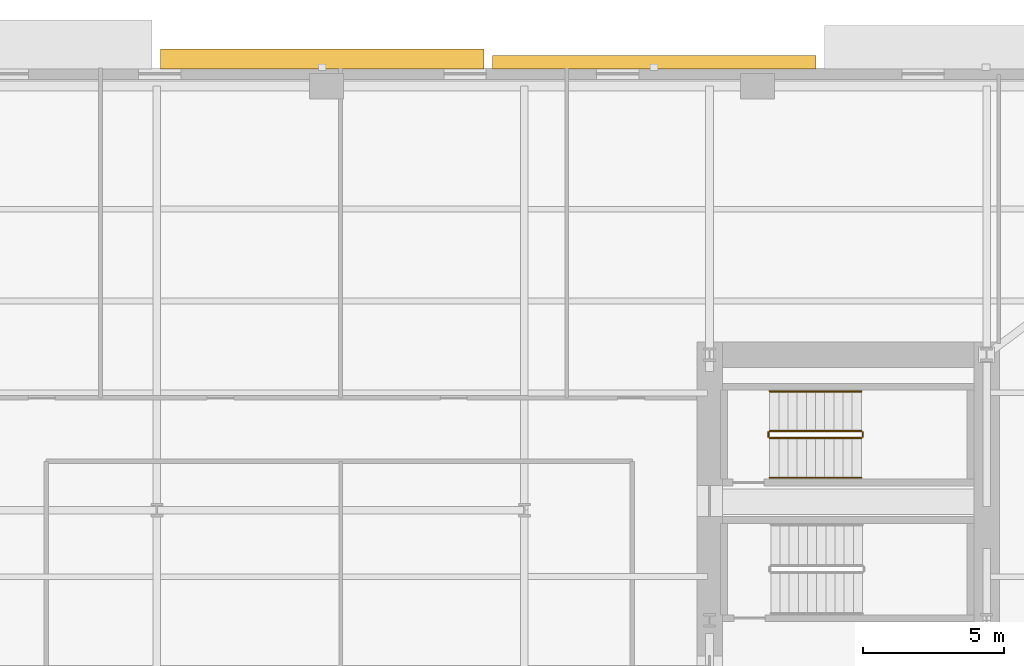
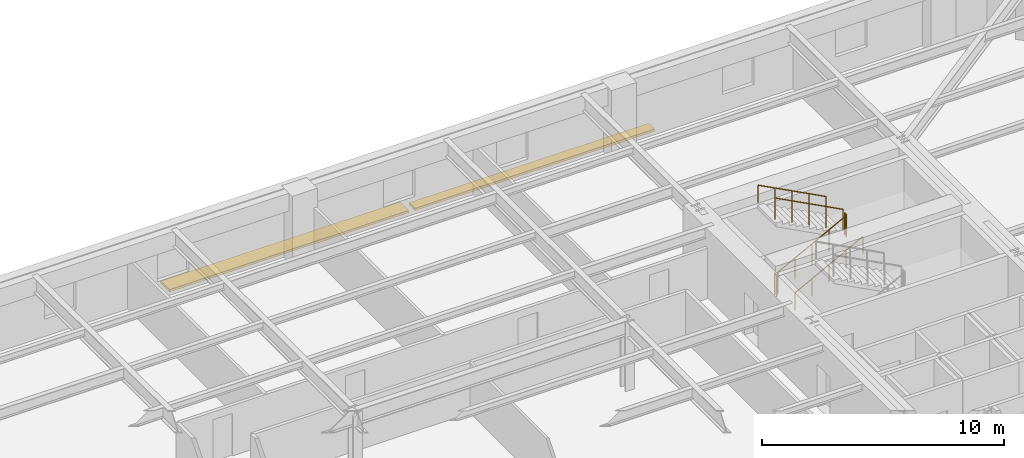
# One storey, part 14 of 15: 6 railings, 2 shading devices.
"""IFC4 building model written with IfcOpenShell, lengths in metres."""

from ifc_helpers import new_model, si_unit, direction, frame, origin, origin_2d, place, context, subcontext, project, spatial, rectangle, circle, extrude, material, type_object, element, save


model = new_model("IFC4")

# Units and contexts
model_context = context("Model", 3, precision=1e-05, world=origin(), true_north=direction((0.0, 1.0)))
body_context = subcontext(model_context, "Body", "Model", "MODEL_VIEW")
ifc_project = project(units=[si_unit("LENGTHUNIT", "METRE"), si_unit("AREAUNIT", "SQUARE_METRE"), si_unit("VOLUMEUNIT", "CUBIC_METRE"), si_unit("PLANEANGLEUNIT", "RADIAN"), si_unit("MASSUNIT", "GRAM", prefix="KILO")], contexts=[model_context])

# Site, building, storey
site_placement = place(None, origin())
site = spatial("IfcSite", under=ifc_project, at=site_placement, CompositionType="ELEMENT")
building_placement = place(site_placement, origin())
building = spatial("IfcBuilding", under=site, at=building_placement, Name="Kolvaren Arena Tower", CompositionType="ELEMENT")
storey_placement = place(building_placement, frame((0.0, 0.0, 45.75)))
storey = spatial("IfcBuildingStorey", under=building, at=storey_placement, Name="L08", CompositionType="ELEMENT", Elevation=45.75)

# Railings
ifc_material_1 = material(Name="Painted galvanized steel", Category="steel")
railing_type_1 = type_object("IfcRailingType", Name="GUARD-ST-110", PredefinedType="GUARDRAIL", material=ifc_material_1)
railing_1_placement = place(storey_placement, frame((52.679931640625, 36.39990234375, 0.17041015625)))
element("IfcRailing", 1, at=railing_1_placement, inside=storey, type_object=railing_type_1, Name="L08 ST-E2 stair guard 1", PredefinedType="GUARDRAIL", context=body_context, shape_type="SweptSolid", body=[
    extrude(circle(Radius=0.02392578125, at=origin_2d()), frame((0.0, 0.0, 1.076171875), z_axis=(0.884993431791, 0.0, 0.465603506952), x_axis=(0.0, 1.0, 0.0)), (0.0, 0.0, 1.0), 3.6611328125),
    extrude(circle(Radius=0.02099609375, at=origin_2d()), origin(), (0.0, 0.0, 1.0), 1.052001953125),
    extrude(circle(Radius=0.02099609375, at=origin_2d()), frame((0.81005859375, 0.0, 0.42626953125)), (0.0, 0.0, 1.0), 1.052001953125),
    extrude(circle(Radius=0.02099609375, at=origin_2d()), frame((1.6201171875, 0.0, 0.852294921875)), (0.0, 0.0, 1.0), 1.052001953125),
    extrude(circle(Radius=0.02099609375, at=origin_2d()), frame((2.429931640625, 0.0, 1.2783203125)), (0.0, 0.0, 1.0), 1.052001953125),
    extrude(circle(Radius=0.02099609375, at=origin_2d()), frame((3.239990234375, 0.0, 1.70458984375)), (0.0, 0.0, 1.0), 1.052001953125),
])
railing_2_placement = place(storey_placement, frame((55.969970703125, 36.449951171875, 1.875)))
element("IfcRailing", 2, at=railing_2_placement, inside=storey, type_object=railing_type_1, Name="L08 ST-E2 stair guard 2", PredefinedType="GUARDRAIL", context=body_context, shape_type="SweptSolid", body=[
    extrude(circle(Radius=0.02392578125, at=origin_2d()), frame((0.0, 0.0, 1.076171875), z_axis=(0.0, 1.0, 0.0), x_axis=(-1.0, 0.0, 0.0)), (0.0, 0.0, 1.0), 0.150146484375),
    extrude(circle(Radius=0.02099609375, at=origin_2d()), origin(), (0.0, 0.0, 1.0), 1.052001953125),
    extrude(circle(Radius=0.02099609375, at=origin_2d()), frame((0.0, 0.150146484375, 0.0)), (0.0, 0.0, 1.0), 1.052001953125),
])
railing_3_placement = place(storey_placement, frame((55.919921875, 36.64990234375, 2.04541015625)))
element("IfcRailing", 3, at=railing_3_placement, inside=storey, type_object=railing_type_1, Name="L08 ST-E2 stair guard 3", PredefinedType="GUARDRAIL", context=body_context, shape_type="SweptSolid", body=[
    extrude(circle(Radius=0.02392578125, at=origin_2d()), frame((0.0, 0.0, 1.076171875), z_axis=(-0.884993431791, 0.0, 0.465603506952), x_axis=(0.0, -1.0, 0.0)), (0.0, 0.0, 1.0), 3.6611328125),
    extrude(circle(Radius=0.02099609375, at=origin_2d()), origin(), (0.0, 0.0, 1.0), 1.052001953125),
    extrude(circle(Radius=0.02099609375, at=origin_2d()), frame((-0.81005859375, 0.0, 0.42626953125)), (0.0, 0.0, 1.0), 1.052001953125),
    extrude(circle(Radius=0.02099609375, at=origin_2d()), frame((-1.6201171875, 0.0, 0.852294921875)), (0.0, 0.0, 1.0), 1.052001953125),
    extrude(circle(Radius=0.02099609375, at=origin_2d()), frame((-2.429931640625, 0.0, 1.2783203125)), (0.0, 0.0, 1.0), 1.052001953125),
    extrude(circle(Radius=0.02099609375, at=origin_2d()), frame((-3.239990234375, 0.0, 1.70458984375)), (0.0, 0.0, 1.0), 1.052001953125),
])
railing_4_placement = place(storey_placement, frame((52.6298828125, 36.449951171875, 0.0)))
element("IfcRailing", 4, at=railing_4_placement, inside=storey, type_object=railing_type_1, Name="L08 ST-E2 stair guard 4", PredefinedType="GUARDRAIL", context=body_context, shape_type="SweptSolid", body=[
    extrude(circle(Radius=0.02392578125, at=origin_2d()), frame((0.0, 0.0, 1.076171875), z_axis=(0.0, 1.0, 0.0), x_axis=(-1.0, 0.0, 0.0)), (0.0, 0.0, 1.0), 0.150146484375),
    extrude(circle(Radius=0.02099609375, at=origin_2d()), origin(), (0.0, 0.0, 1.0), 1.052001953125),
    extrude(circle(Radius=0.02099609375, at=origin_2d()), frame((0.0, 0.150146484375, 0.0)), (0.0, 0.0, 1.0), 1.052001953125),
])
ifc_material_2 = material(Name="Brushed stainless steel handrail", Category="steel")
railing_type_2 = type_object("IfcRailingType", Name="HRAIL-900", PredefinedType="HANDRAIL", material=ifc_material_2)
railing_5_placement = place(storey_placement, frame((52.679931640625, 35.0, 0.17041015625)))
element("IfcRailing", 5, at=railing_5_placement, inside=storey, type_object=railing_type_2, Name="L08 ST-E2 stair handrail 1", PredefinedType="HANDRAIL", context=body_context, shape_type="SweptSolid", body=[
    extrude(circle(Radius=0.02392578125, at=origin_2d()), frame((0.0, 0.0, 0.8759765625), z_axis=(0.884993431791, 0.0, 0.465603506952), x_axis=(0.0, 1.0, 0.0)), (0.0, 0.0, 1.0), 3.6611328125),
    extrude(circle(Radius=0.02099609375, at=origin_2d()), origin(), (0.0, 0.0, 1.0), 0.851806640625),
    extrude(circle(Radius=0.02099609375, at=origin_2d()), frame((0.81005859375, 0.0, 0.42626953125)), (0.0, 0.0, 1.0), 0.851806640625),
    extrude(circle(Radius=0.02099609375, at=origin_2d()), frame((1.6201171875, 0.0, 0.852294921875)), (0.0, 0.0, 1.0), 0.851806640625),
    extrude(circle(Radius=0.02099609375, at=origin_2d()), frame((2.429931640625, 0.0, 1.2783203125)), (0.0, 0.0, 1.0), 0.851806640625),
    extrude(circle(Radius=0.02099609375, at=origin_2d()), frame((3.239990234375, 0.0, 1.70458984375)), (0.0, 0.0, 1.0), 0.851806640625),
])
railing_6_placement = place(storey_placement, frame((55.919921875, 38.050048828125, 2.04541015625)))
element("IfcRailing", 6, at=railing_6_placement, inside=storey, type_object=railing_type_2, Name="L08 ST-E2 stair handrail 2", PredefinedType="HANDRAIL", context=body_context, shape_type="SweptSolid", body=[
    extrude(circle(Radius=0.02392578125, at=origin_2d()), frame((0.0, 0.0, 0.8759765625), z_axis=(-0.884993431791, 0.0, 0.465603506952), x_axis=(0.0, -1.0, 0.0)), (0.0, 0.0, 1.0), 3.6611328125),
    extrude(circle(Radius=0.02099609375, at=origin_2d()), origin(), (0.0, 0.0, 1.0), 0.851806640625),
    extrude(circle(Radius=0.02099609375, at=origin_2d()), frame((-0.81005859375, 0.0, 0.42626953125)), (0.0, 0.0, 1.0), 0.851806640625),
    extrude(circle(Radius=0.02099609375, at=origin_2d()), frame((-1.6201171875, 0.0, 0.852294921875)), (0.0, 0.0, 1.0), 0.851806640625),
    extrude(circle(Radius=0.02099609375, at=origin_2d()), frame((-2.429931640625, 0.0, 1.2783203125)), (0.0, 0.0, 1.0), 0.851806640625),
    extrude(circle(Radius=0.02099609375, at=origin_2d()), frame((-3.239990234375, 0.0, 1.70458984375)), (0.0, 0.0, 1.0), 0.851806640625),
])

# Shading devices
ifc_material_3 = material(Name="Architectural precast GFRC and anodised aluminium sunshade", Category="concrete")
shading_device_type = type_object("IfcShadingDeviceType", Name="SHAD-SINE-A", PredefinedType="USERDEFINED", material=ifc_material_3)
shading_device_1_placement = place(storey_placement, frame((36.85009765625, 49.810302734375, -0.14013671875), z_axis=(0.0, 0.0, 1.0), x_axis=(1.0, 0.0, 0.0)))
element("IfcShadingDevice", 7, at=shading_device_1_placement, inside=storey, type_object=shading_device_type, Name="Sinusoidal Slab-Edge Sunshade Louvre (L08)", ObjectType="LOUVRE", PredefinedType="USERDEFINED", context=body_context, shape_type="SweptSolid", body=[
    extrude(rectangle(XDim=11.43994140625, YDim=0.720703125, at=origin_2d()), origin(), (0.0, 0.0, 1.0), 0.1201171875),
])
shading_device_2_placement = place(storey_placement, frame((48.590087890625, 49.69091796875, -0.14013671875), z_axis=(0.0, 0.0, 1.0), x_axis=(1.0, 0.0, 0.0)))
element("IfcShadingDevice", 8, at=shading_device_2_placement, inside=storey, type_object=shading_device_type, Name="Sinusoidal Slab-Edge Sunshade Louvre (L08)", ObjectType="LOUVRE", PredefinedType="USERDEFINED", context=body_context, shape_type="SweptSolid", body=[
    extrude(rectangle(XDim=11.43994140625, YDim=0.481689453125, at=origin_2d()), origin(), (0.0, 0.0, 1.0), 0.1201171875),
])

save(model, "model.ifc")
